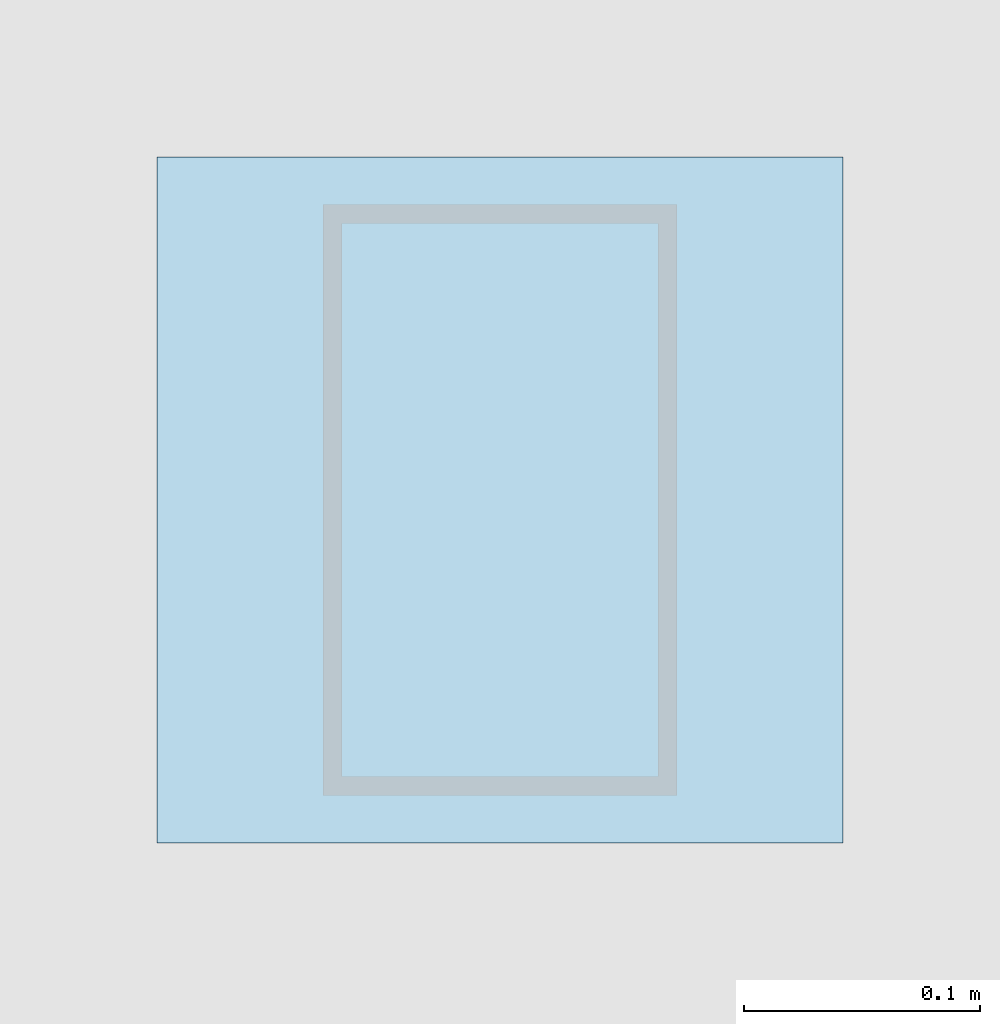
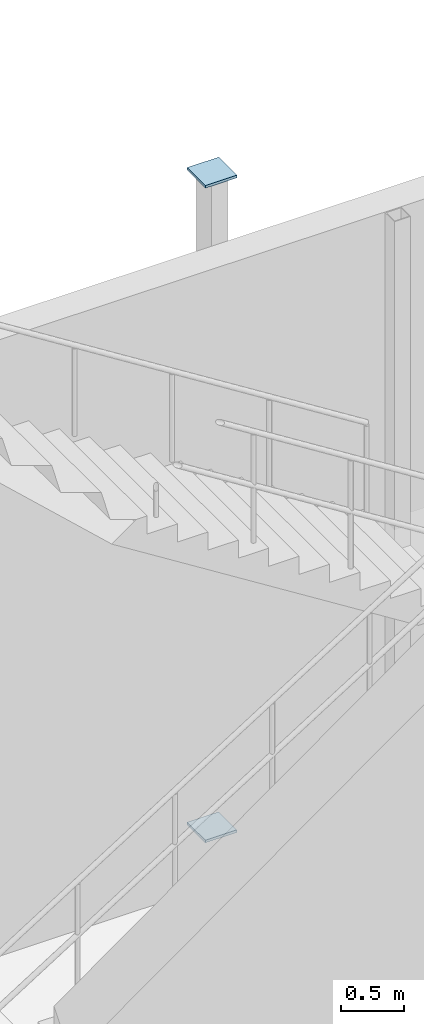
# One storey, part 82 of 120: 2 plates.
"""IFC4 building model written with IfcOpenShell, lengths in metres."""

from ifc_helpers import new_model, si_unit, direction, frame, origin, origin_2d, place, context, subcontext, project, spatial, rectangle, extrude, material, layer, layer_set, type_object, element, save


model = new_model("IFC4")

# Units and contexts
model_context = context("Model", 3, precision=1e-05, world=origin(), true_north=direction((0.0, 1.0)))
body_context = subcontext(model_context, "Body", "Model", "MODEL_VIEW")
ifc_project = project(units=[si_unit("LENGTHUNIT", "METRE"), si_unit("AREAUNIT", "SQUARE_METRE"), si_unit("VOLUMEUNIT", "CUBIC_METRE"), si_unit("PLANEANGLEUNIT", "RADIAN"), si_unit("MASSUNIT", "GRAM", prefix="KILO")], contexts=[model_context])

# Site, building, storey
site_placement = place(None, origin())
site = spatial("IfcSite", under=ifc_project, at=site_placement, CompositionType="ELEMENT")
building_placement = place(site_placement, origin())
building = spatial("IfcBuilding", under=site, at=building_placement, Name="Siltcreek Boulevard Central Fire Station", CompositionType="ELEMENT")
storey_placement = place(building_placement, origin())
storey = spatial("IfcBuildingStorey", under=building, at=storey_placement, Name="L01", CompositionType="ELEMENT", Elevation=0.0)

# Plates
ifc_material = material(Name="Structural steel ASTM A572 Gr50", Category="steel")
ifc_layer = layer(ifc_material, 0.02490234375, Name="Structural steel ASTM A572 Gr50")
ifc_layer_set = layer_set([ifc_layer], Name="Structural steel ASTM A572 Gr50")
plate_type = type_object("IfcPlateType", Name="PL_CAP25", PredefinedType="USERDEFINED", material=ifc_layer_set)
for number, where, z_axis, x_axis, name in (
    (1, (63.0, 54.550048828125, -0.373046875), (0.0, 0.0, 1.0), (1.0, 0.0, 0.0), "Terracotta pier pilaster column PL-06 sealed end cap 1"),
    (2, (63.0, 54.550048828125, 5.998046875), (0.0, 0.0, 1.0), (1.0, 0.0, 0.0), "Terracotta pier pilaster column PL-06 sealed end cap 2"),
):
    element("IfcPlate", number, at=place(storey_placement, frame(where, z_axis=z_axis, x_axis=x_axis)), inside=storey, type_object=plate_type, Name=name, ObjectType="END CAP", PredefinedType="USERDEFINED", context=body_context, shape_type="SweptSolid", body=[
        extrude(rectangle(XDim=0.2900390625, YDim=0.2900390625, at=origin_2d()), origin(), (0.0, 0.0, 1.0), 0.02490234375),
    ])

save(model, "model.ifc")
